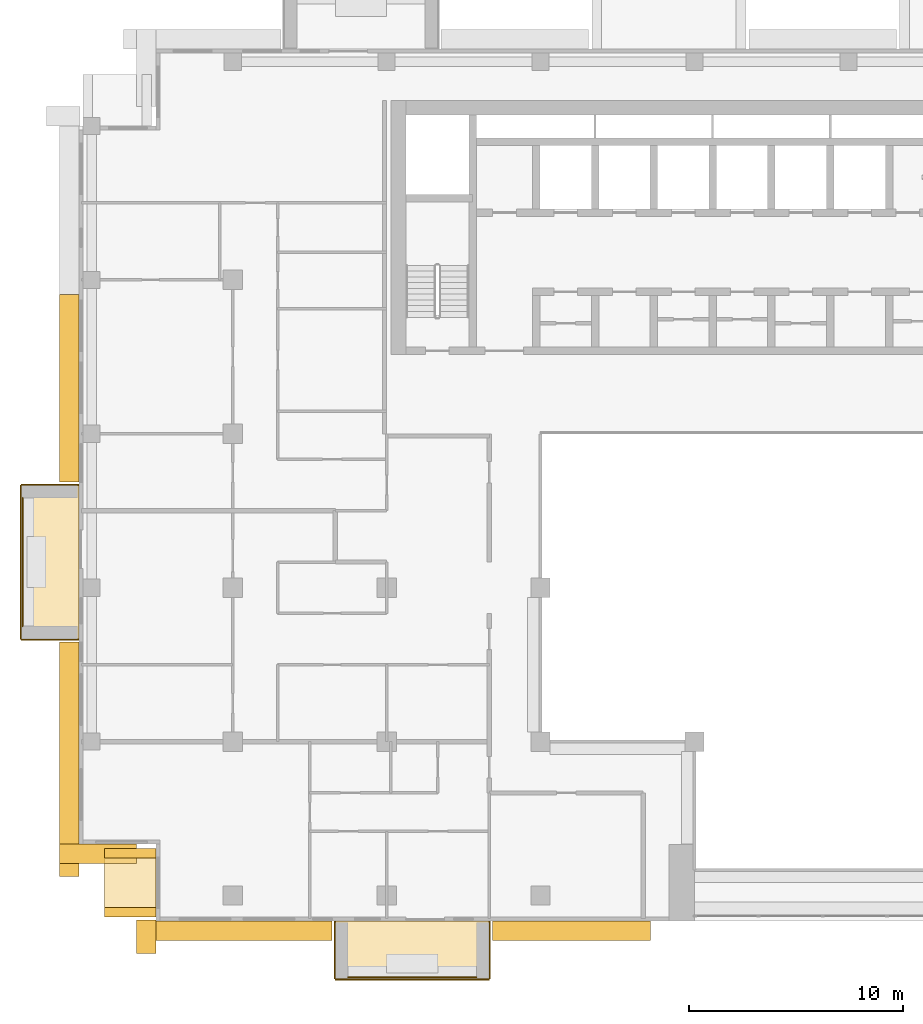
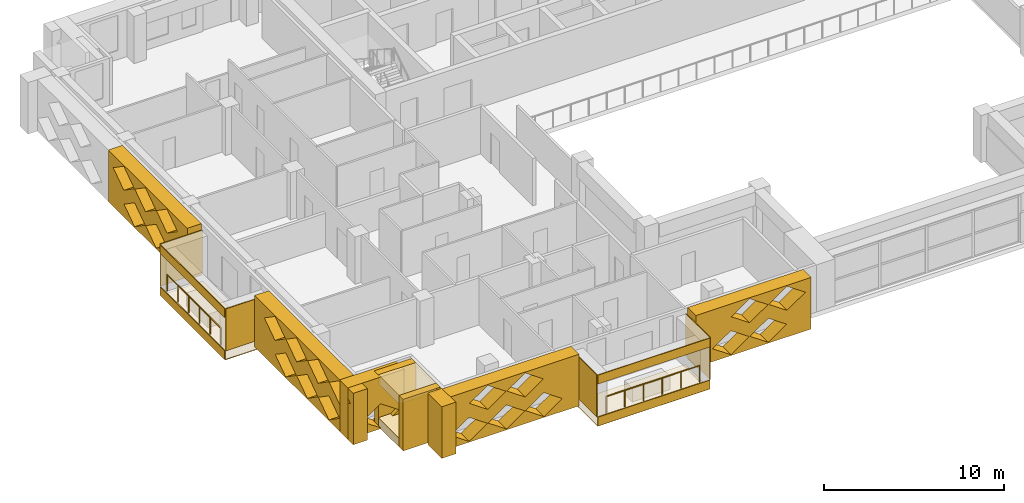
# One storey, part 14 of 20: 20 coverings, 2 railings.
"""IFC4 building model written with IfcOpenShell, lengths in metres."""

from ifc_helpers import new_model, si_unit, direction, frame, origin, origin_2d, place, context, subcontext, project, spatial, polyline, circle, outline, extrude, material, layer, layer_set, type_object, element, save


model = new_model("IFC4")

# Units and contexts
model_context = context("Model", 3, precision=1e-05, world=origin(), true_north=direction((0.0, 1.0)))
body_context = subcontext(model_context, "Body", "Model", "MODEL_VIEW")
ifc_project = project(units=[si_unit("LENGTHUNIT", "METRE"), si_unit("AREAUNIT", "SQUARE_METRE"), si_unit("VOLUMEUNIT", "CUBIC_METRE"), si_unit("PLANEANGLEUNIT", "RADIAN"), si_unit("MASSUNIT", "GRAM", prefix="KILO")], contexts=[model_context])

# Site, building, storey
site_placement = place(None, origin())
site = spatial("IfcSite", under=ifc_project, at=site_placement, CompositionType="ELEMENT")
building_placement = place(site_placement, origin())
building = spatial("IfcBuilding", under=site, at=building_placement, Name="Saffron Iwan Residences", CompositionType="ELEMENT")
storey_placement = place(building_placement, frame((0.0, 0.0, 181.5)))
storey = spatial("IfcBuildingStorey", under=building, at=storey_placement, Name="L48", CompositionType="ELEMENT", Elevation=181.5)

# Railings
ifc_material_1 = material(Name="Stainless steel 316", Category="steel")
railing_type = type_object("IfcRailingType", Name="BALCONY GUARD 1150", PredefinedType="GUARDRAIL", material=ifc_material_1)
railing_1_placement = place(storey_placement, frame((11.77490234375, 59.39990234375, 0.0)))
element("IfcRailing", 1, at=railing_1_placement, inside=storey, type_object=railing_type, Name="Balcony guard L48 F8-1", PredefinedType="GUARDRAIL", context=body_context, shape_type="SweptSolid", body=[
    extrude(circle(Radius=0.02392578125, at=origin_2d()), frame((0.0, 0.0, 1.1259765625), z_axis=(0.0, -1.0, 0.0), x_axis=(1.0, 0.0, 0.0)), (0.0, 0.0, 1.0), 6.0),
    extrude(circle(Radius=0.02099609375, at=origin_2d()), origin(), (0.0, 0.0, 1.0), 1.101806640625),
    extrude(circle(Radius=0.02099609375, at=origin_2d()), frame((0.0, -1.199951171875, 0.0)), (0.0, 0.0, 1.0), 1.101806640625),
    extrude(circle(Radius=0.02099609375, at=origin_2d()), frame((0.0, -2.39990234375, 0.0)), (0.0, 0.0, 1.0), 1.101806640625),
    extrude(circle(Radius=0.02099609375, at=origin_2d()), frame((0.0, -3.60009765625, 0.0)), (0.0, 0.0, 1.0), 1.101806640625),
    extrude(circle(Radius=0.02099609375, at=origin_2d()), frame((0.0, -4.800048828125, 0.0)), (0.0, 0.0, 1.0), 1.101806640625),
    extrude(circle(Radius=0.02099609375, at=origin_2d()), frame((0.0, -6.0, 0.0)), (0.0, 0.0, 1.0), 1.101806640625),
])
railing_2_placement = place(storey_placement, frame((27.0, 36.97509765625, 0.0)))
element("IfcRailing", 2, at=railing_2_placement, inside=storey, type_object=railing_type, Name="Balcony guard L48 11-0", PredefinedType="GUARDRAIL", context=body_context, shape_type="SweptSolid", body=[
    extrude(circle(Radius=0.02392578125, at=origin_2d()), frame((0.0, 0.0, 1.1259765625), z_axis=(1.0, 0.0, 0.0), x_axis=(0.0, 1.0, 0.0)), (0.0, 0.0, 1.0), 6.0),
    extrude(circle(Radius=0.02099609375, at=origin_2d()), origin(), (0.0, 0.0, 1.0), 1.101806640625),
    extrude(circle(Radius=0.02099609375, at=origin_2d()), frame((1.199951171875, 0.0, 0.0)), (0.0, 0.0, 1.0), 1.101806640625),
    extrude(circle(Radius=0.02099609375, at=origin_2d()), frame((2.39990234375, 0.0, 0.0)), (0.0, 0.0, 1.0), 1.101806640625),
    extrude(circle(Radius=0.02099609375, at=origin_2d()), frame((3.60009765625, 0.0, 0.0)), (0.0, 0.0, 1.0), 1.101806640625),
    extrude(circle(Radius=0.02099609375, at=origin_2d()), frame((4.800048828125, 0.0, 0.0)), (0.0, 0.0, 1.0), 1.101806640625),
    extrude(circle(Radius=0.02099609375, at=origin_2d()), frame((6.0, 0.0, 0.0)), (0.0, 0.0, 1.0), 1.101806640625),
])

# Coverings
ifc_material_2 = material(Name="Precast concrete C40/50 white painted", Category="concrete")
ifc_layer = layer(ifc_material_2, 0.050048828125)
ifc_layer_set = layer_set([ifc_layer], Name="Precast concrete C40/50 white painted")
covering_type_1 = type_object("IfcCoveringType", Name="FRAME SKIN PRECAST WHITE 50", PredefinedType="CLADDING", material=ifc_layer_set)
for number, where, name in (
    (3, (0.0, 0.0, -0.60009765625), "Frame skin slab edge L48 F8-1"),
    (4, (0.0, 0.0, 2.25), "Frame skin fascia L48 F8-1"),
):
    element("IfcCovering", number, at=place(storey_placement, frame(where)), inside=storey, type_object=covering_type_1, Name=name, PredefinedType="CLADDING", context=body_context, shape_type="SweptSolid", body=[
        extrude(outline(polyline([(11.64990234375, 60.0), (11.64990234375, 52.800048828125), (11.699951171875, 52.800048828125), (11.699951171875, 60.0), (11.64990234375, 60.0)])), origin(), (0.0, 0.0, 1.0), 0.60009765625),
    ])
covering_1_placement = place(storey_placement, frame((0.0, 0.0, -0.64990234375)))
element("IfcCovering", 5, at=covering_1_placement, inside=storey, type_object=covering_type_1, Name="Frame skin soffit L48 F8-1", PredefinedType="CLADDING", context=body_context, shape_type="SweptSolid", body=[
    extrude(outline(polyline([(11.699951171875, 60.0), (11.699951171875, 52.800048828125), (14.39990234375, 52.800048828125), (14.39990234375, 60.0), (11.699951171875, 60.0)])), origin(), (0.0, 0.0, 1.0), 0.0498046875),
])
covering_2_placement = place(storey_placement, origin())
element("IfcCovering", 6, at=covering_2_placement, inside=storey, type_object=covering_type_1, Name="Frame skin fin L48 F8-1a", PredefinedType="CLADDING", context=body_context, shape_type="SweptSolid", body=[
    extrude(outline(polyline([(11.699951171875, 60.050048828125), (11.699951171875, 60.0), (14.39990234375, 60.0), (14.39990234375, 60.050048828125), (11.699951171875, 60.050048828125)])), origin(), (0.0, 0.0, 1.0), 2.85009765625),
])
covering_3_placement = place(storey_placement, origin())
element("IfcCovering", 7, at=covering_3_placement, inside=storey, type_object=covering_type_1, Name="Frame skin fin L48 F8-1b", PredefinedType="CLADDING", context=body_context, shape_type="SweptSolid", body=[
    extrude(outline(polyline([(11.699951171875, 52.800048828125), (11.699951171875, 52.75), (14.39990234375, 52.75), (14.39990234375, 52.800048828125), (11.699951171875, 52.800048828125)])), origin(), (0.0, 0.0, 1.0), 2.85009765625),
])
for number, where, name in (
    (8, (0.0, 0.0, -0.60009765625), "Frame skin slab edge L48 11-0"),
    (9, (0.0, 0.0, 2.25), "Frame skin fascia L48 11-0"),
):
    element("IfcCovering", number, at=place(storey_placement, frame(where)), inside=storey, type_object=covering_type_1, Name=name, PredefinedType="CLADDING", context=body_context, shape_type="SweptSolid", body=[
        extrude(outline(polyline([(26.39990234375, 36.85009765625), (33.60009765625, 36.85009765625), (33.60009765625, 36.89990234375), (26.39990234375, 36.89990234375), (26.39990234375, 36.85009765625)])), origin(), (0.0, 0.0, 1.0), 0.60009765625),
    ])
covering_4_placement = place(storey_placement, frame((0.0, 0.0, -0.64990234375)))
element("IfcCovering", 10, at=covering_4_placement, inside=storey, type_object=covering_type_1, Name="Frame skin soffit L48 11-0", PredefinedType="CLADDING", context=body_context, shape_type="SweptSolid", body=[
    extrude(outline(polyline([(26.39990234375, 36.89990234375), (33.60009765625, 36.89990234375), (33.60009765625, 39.60009765625), (26.39990234375, 39.60009765625), (26.39990234375, 36.89990234375)])), origin(), (0.0, 0.0, 1.0), 0.0498046875),
])
covering_5_placement = place(storey_placement, origin())
element("IfcCovering", 11, at=covering_5_placement, inside=storey, type_object=covering_type_1, Name="Frame skin fin L48 11-0a", PredefinedType="CLADDING", context=body_context, shape_type="SweptSolid", body=[
    extrude(outline(polyline([(26.35009765625, 36.89990234375), (26.39990234375, 36.89990234375), (26.39990234375, 39.60009765625), (26.35009765625, 39.60009765625), (26.35009765625, 36.89990234375)])), origin(), (0.0, 0.0, 1.0), 2.85009765625),
])
covering_6_placement = place(storey_placement, origin())
element("IfcCovering", 12, at=covering_6_placement, inside=storey, type_object=covering_type_1, Name="Frame skin fin L48 11-0b", PredefinedType="CLADDING", context=body_context, shape_type="SweptSolid", body=[
    extrude(outline(polyline([(33.60009765625, 36.89990234375), (33.64990234375, 36.89990234375), (33.64990234375, 39.60009765625), (33.60009765625, 39.60009765625), (33.60009765625, 36.89990234375)])), origin(), (0.0, 0.0, 1.0), 2.85009765625),
])
ifc_material_3 = material(Name="Precast concrete C40/50", Category="concrete")
covering_type_2 = type_object("IfcCoveringType", Name="OUTER SKIN LATTICE SCREEN", PredefinedType="CLADDING", material=ifc_material_3)
covering_7_placement = place(storey_placement, frame((14.39990234375, 68.925048828125, -0.300048828125), z_axis=(-1.0, 0.0, 0.0), x_axis=(0.0, -1.0, 0.0)))
element("IfcCovering", 13, at=covering_7_placement, inside=storey, type_object=covering_type_2, Name="OUTER SKIN lattice screen L48 F8.1", PredefinedType="CLADDING", context=body_context, shape_type="SweptSolid", body=[
    extrude(outline(polyline([(0.0, 0.0), (8.77490234375, 0.0), (8.77490234375, 3.5), (0.0, 3.5), (0.0, 0.0)]), holes=[polyline([(1.7451171875, 0.875), (2.925048828125, 0.06005859375), (4.10498046875, 0.875), (2.925048828125, 1.68994140625), (1.7451171875, 0.875)]), polyline([(4.14501953125, 0.875), (5.324951171875, 0.06005859375), (6.5048828125, 0.875), (5.324951171875, 1.68994140625), (4.14501953125, 0.875)]), polyline([(0.544921875, 2.625), (1.72509765625, 1.81005859375), (2.905029296875, 2.625), (1.72509765625, 3.43994140625), (0.544921875, 2.625)]), polyline([(2.945068359375, 2.625), (4.125, 1.81005859375), (5.304931640625, 2.625), (4.125, 3.43994140625), (2.945068359375, 2.625)]), polyline([(5.344970703125, 2.625), (6.52490234375, 1.81005859375), (7.705078125, 2.625), (6.52490234375, 3.43994140625), (5.344970703125, 2.625)])]), origin(), (0.0, 0.0, 1.0), 0.89990234375),
])
covering_8_placement = place(storey_placement, frame((14.39990234375, 52.64990234375, -0.300048828125), z_axis=(-1.0, 0.0, 0.0), x_axis=(0.0, -1.0, 0.0)))
element("IfcCovering", 14, at=covering_8_placement, inside=storey, type_object=covering_type_2, Name="OUTER SKIN lattice screen L48 F8.2", PredefinedType="CLADDING", context=body_context, shape_type="SweptSolid", body=[
    extrude(outline(polyline([(0.0, 0.0), (10.949951171875, 0.0), (10.949951171875, 3.5), (0.0, 3.5), (0.0, 0.0)]), holes=[polyline([(2.27001953125, 0.875), (3.449951171875, 0.06005859375), (4.6298828125, 0.875), (3.449951171875, 1.68994140625), (2.27001953125, 0.875)]), polyline([(4.669921875, 0.875), (5.85009765625, 0.06005859375), (7.030029296875, 0.875), (5.85009765625, 1.68994140625), (4.669921875, 0.875)]), polyline([(7.070068359375, 0.875), (8.25, 0.06005859375), (9.429931640625, 0.875), (8.25, 1.68994140625), (7.070068359375, 0.875)]), polyline([(1.070068359375, 2.625), (2.25, 1.81005859375), (3.429931640625, 2.625), (2.25, 3.43994140625), (1.070068359375, 2.625)]), polyline([(3.469970703125, 2.625), (4.64990234375, 1.81005859375), (5.830078125, 2.625), (4.64990234375, 3.43994140625), (3.469970703125, 2.625)]), polyline([(5.8701171875, 2.625), (7.050048828125, 1.81005859375), (8.22998046875, 2.625), (7.050048828125, 3.43994140625), (5.8701171875, 2.625)]), polyline([(8.27001953125, 2.625), (9.449951171875, 1.81005859375), (10.6298828125, 2.625), (9.449951171875, 3.43994140625), (8.27001953125, 2.625)])]), origin(), (0.0, 0.0, 1.0), 0.89990234375),
])
covering_9_placement = place(storey_placement, frame((13.5, 43.199951171875, -0.300048828125), z_axis=(0.0, -1.0, 0.0), x_axis=(1.0, 0.0, 0.0)))
element("IfcCovering", 15, at=covering_9_placement, inside=storey, type_object=covering_type_2, Name="OUTER SKIN lattice screen L48 F9.0", PredefinedType="CLADDING", context=body_context, shape_type="SweptSolid", body=[
    extrude(outline(polyline([(0.0, 0.0), (3.60009765625, 0.0), (3.60009765625, 3.5), (0.0, 3.5), (0.0, 0.0)]), holes=[polyline([(0.919921875, 0.875), (2.10009765625, 0.06005859375), (3.280029296875, 0.875), (2.10009765625, 1.68994140625), (0.919921875, 0.875)])]), origin(), (0.0, 0.0, 1.0), 0.89990234375),
])
covering_10_placement = place(storey_placement, frame((18.0, 39.64990234375, -0.300048828125), z_axis=(-1.0, 0.0, 0.0), x_axis=(0.0, -1.0, 0.0)))
element("IfcCovering", 16, at=covering_10_placement, inside=storey, type_object=covering_type_2, Name="OUTER SKIN lattice screen L48 F10.0", PredefinedType="CLADDING", context=body_context, shape_type="SweptSolid", body=[
    extrude(outline(polyline([(0.0, 0.0), (1.550048828125, 0.0), (1.550048828125, 3.5), (0.0, 3.5), (0.0, 0.0)])), origin(), (0.0, 0.0, 1.0), 0.89990234375),
])
covering_11_placement = place(storey_placement, frame((17.10009765625, 39.60009765625, -0.300048828125), z_axis=(0.0, -1.0, 0.0), x_axis=(1.0, 0.0, 0.0)))
element("IfcCovering", 17, at=covering_11_placement, inside=storey, type_object=covering_type_2, Name="OUTER SKIN lattice screen L48 F11.0", PredefinedType="CLADDING", context=body_context, shape_type="SweptSolid", body=[
    extrude(outline(polyline([(0.0, 0.0), (9.14990234375, 0.0), (9.14990234375, 3.5), (0.0, 3.5), (0.0, 0.0)]), holes=[polyline([(0.919921875, 0.875), (2.10009765625, 0.06005859375), (3.280029296875, 0.875), (2.10009765625, 1.68994140625), (0.919921875, 0.875)]), polyline([(3.320068359375, 0.875), (4.5, 0.06005859375), (5.679931640625, 0.875), (4.5, 1.68994140625), (3.320068359375, 0.875)]), polyline([(5.719970703125, 0.875), (6.89990234375, 0.06005859375), (8.080078125, 0.875), (6.89990234375, 1.68994140625), (5.719970703125, 0.875)]), polyline([(2.1201171875, 2.625), (3.300048828125, 1.81005859375), (4.47998046875, 2.625), (3.300048828125, 3.43994140625), (2.1201171875, 2.625)]), polyline([(4.52001953125, 2.625), (5.699951171875, 1.81005859375), (6.8798828125, 2.625), (5.699951171875, 3.43994140625), (4.52001953125, 2.625)])]), origin(), (0.0, 0.0, 1.0), 0.900146484375),
])
covering_12_placement = place(storey_placement, frame((33.75, 39.60009765625, -0.300048828125), z_axis=(0.0, -1.0, 0.0), x_axis=(1.0, 0.0, 0.0)))
element("IfcCovering", 18, at=covering_12_placement, inside=storey, type_object=covering_type_2, Name="OUTER SKIN lattice screen L48 F11.1", PredefinedType="CLADDING", context=body_context, shape_type="SweptSolid", body=[
    extrude(outline(polyline([(0.0, 0.0), (7.39990234375, 0.0), (7.39990234375, 3.5), (0.0, 3.5), (0.0, 0.0)]), holes=[polyline([(1.070068359375, 0.875), (2.25, 0.06005859375), (3.429931640625, 0.875), (2.25, 1.68994140625), (1.070068359375, 0.875)]), polyline([(3.469970703125, 0.875), (4.64990234375, 0.06005859375), (5.830078125, 0.875), (4.64990234375, 1.68994140625), (3.469970703125, 0.875)]), polyline([(2.27001953125, 2.625), (3.449951171875, 1.81005859375), (4.6298828125, 2.625), (3.449951171875, 3.43994140625), (2.27001953125, 2.625)]), polyline([(4.669921875, 2.625), (5.85009765625, 1.81005859375), (7.030029296875, 2.625), (5.85009765625, 3.43994140625), (4.669921875, 2.625)])]), origin(), (0.0, 0.0, 1.0), 0.900146484375),
])
covering_type_3 = type_object("IfcCoveringType", Name="WHITE SUN FRAME PRECAST", PredefinedType="CLADDING", material=ifc_material_2)
for number, where, z_axis, x_axis, name in (
    (19, (18.0, 43.0, -0.300048828125), (-1.0, 0.0, 0.0), (0.0, -1.0, 0.0), "Sun frame L48 F10 0.2a"),
    (20, (18.0, 40.25, -0.300048828125), (-1.0, 0.0, 0.0), (0.0, -1.0, 0.0), "Sun frame L48 F10 0.2b"),
):
    element("IfcCovering", number, at=place(storey_placement, frame(where, z_axis=z_axis, x_axis=x_axis)), inside=storey, type_object=covering_type_3, Name=name, PredefinedType="CLADDING", context=body_context, shape_type="SweptSolid", body=[
        extrude(outline(polyline([(0.0, 0.0), (0.449951171875, 0.0), (0.449951171875, 3.5), (0.0, 3.5), (0.0, 0.0)])), origin(), (0.0, 0.0, 1.0), 2.39990234375),
    ])
for number, where, z_axis, x_axis, name in (
    (21, (18.0, 42.550048828125, 2.60009765625), (-1.0, 0.0, 0.0), (0.0, -1.0, 0.0), "Sun frame L48 F10 0.2h"),
    (22, (18.0, 42.550048828125, -0.300048828125), (-1.0, 0.0, 0.0), (0.0, -1.0, 0.0), "Sun frame L48 F10 0.2s"),
):
    element("IfcCovering", number, at=place(storey_placement, frame(where, z_axis=z_axis, x_axis=x_axis)), inside=storey, type_object=covering_type_3, Name=name, PredefinedType="CLADDING", context=body_context, shape_type="SweptSolid", body=[
        extrude(outline(polyline([(0.0, 0.0), (2.300048828125, 0.0), (2.300048828125, 0.60009765625), (0.0, 0.60009765625), (0.0, 0.0)])), origin(), (0.0, 0.0, 1.0), 2.39990234375),
    ])

save(model, "model.ifc")
